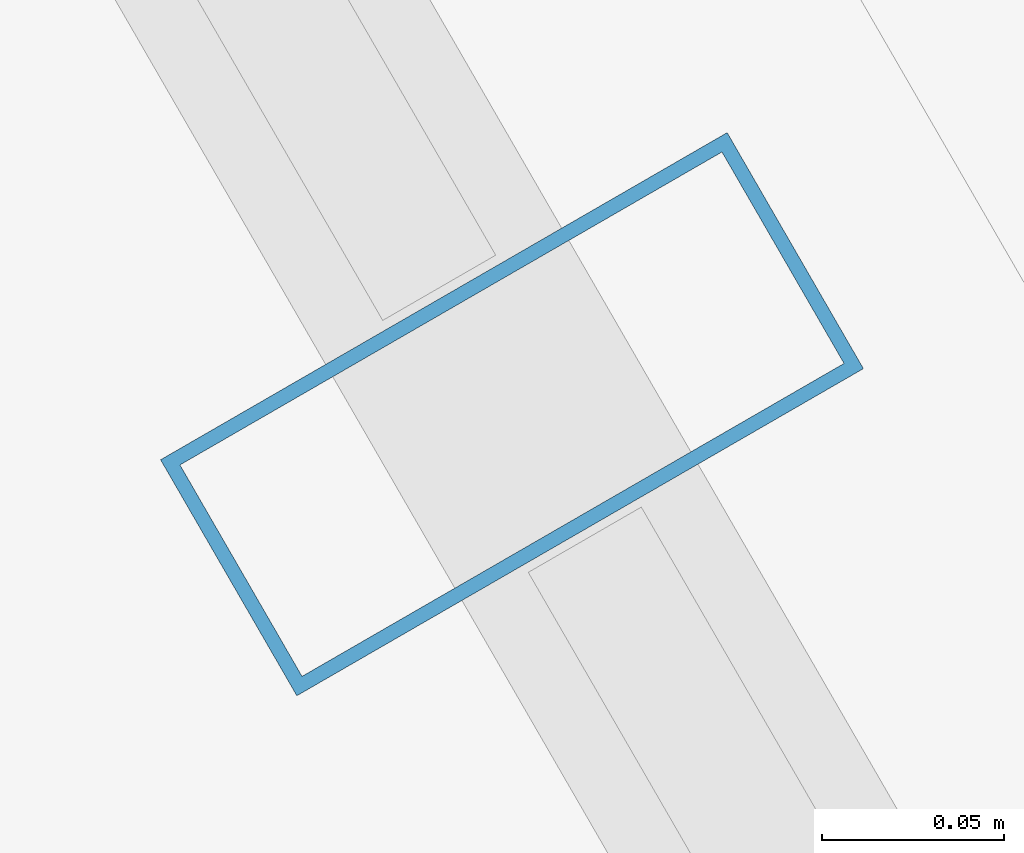
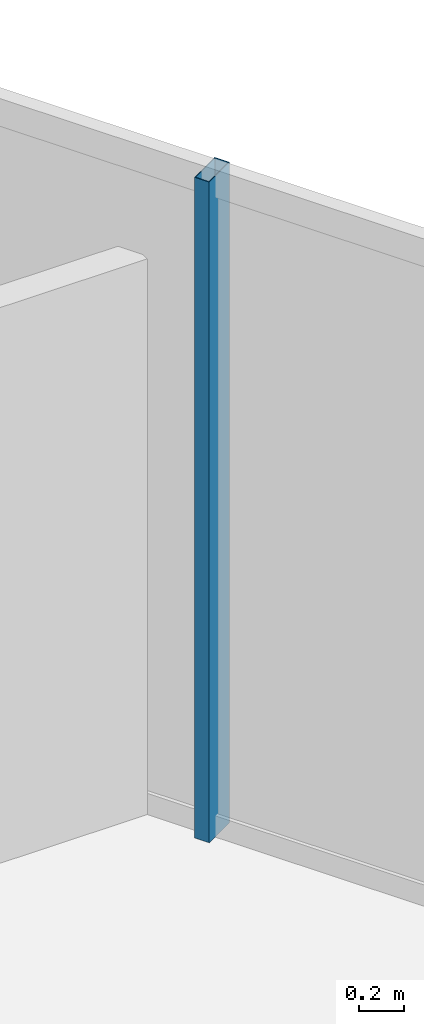
# One storey, part 15 of 34: 1 member, 1 element without a shape of its own.
"""IFC4 building model written with IfcOpenShell, lengths in metres."""

from ifc_helpers import new_model, si_unit, direction, frame, origin, origin_2d, place, context, subcontext, project, spatial, hollow_rectangle, extrude, material, layer, layer_set, material_profile, profile_set, type_object, element, aggregate, save


model = new_model("IFC4")

# Units and contexts
model_context = context("Model", 3, precision=1e-05, world=origin(), true_north=direction((0.0, 1.0)))
body_context = subcontext(model_context, "Body", "Model", "MODEL_VIEW")
ifc_project = project(units=[si_unit("LENGTHUNIT", "METRE"), si_unit("AREAUNIT", "SQUARE_METRE"), si_unit("VOLUMEUNIT", "CUBIC_METRE"), si_unit("PLANEANGLEUNIT", "RADIAN"), si_unit("MASSUNIT", "GRAM", prefix="KILO")], contexts=[model_context])

# Site, building, storey
site_placement = place(None, origin())
site = spatial("IfcSite", under=ifc_project, at=site_placement, CompositionType="ELEMENT")
building_placement = place(site_placement, origin())
building = spatial("IfcBuilding", under=site, at=building_placement, Name="Ndaravel Arena Tower", CompositionType="ELEMENT")
storey_placement = place(building_placement, frame((0.0, 0.0, 191.60009765625)))
storey = spatial("IfcBuildingStorey", under=building, at=storey_placement, Name="L46", CompositionType="ELEMENT", Elevation=191.60009765625)

# Curtain wall, member
ifc_material_1 = material(Name="Aluminium", Category="aluminium")
ifc_layer = layer(ifc_material_1, 0.179931640625)
ifc_layer_set = layer_set([ifc_layer], Name="Aluminium")
curtain_wall_type = type_object("IfcCurtainWallType", Name="CW-SYS-03", PredefinedType="NOTDEFINED", material=ifc_layer_set)
curtain_wall_placement = place(storey_placement, origin())
curtain_wall = element("IfcCurtainWall", 1, at=curtain_wall_placement, inside=storey, type_object=curtain_wall_type, Name="L46 Faceted Crystal Curtain Wall CW-L46-E03", PredefinedType="NOTDEFINED")
ifc_material_2 = material(Name="Aluminium", Category="aluminium")
ifc_material_profile = material_profile(ifc_material_2, hollow_rectangle(XDim=0.074951171875, YDim=0.179931640625, WallThickness=0.00390625, at=origin_2d()), Name="CW MULLION 75x180x4")
ifc_profile_set = profile_set([ifc_material_profile], Name="Aluminium")
member_type = type_object("IfcMemberType", Name="MEM-CW-MUL180", PredefinedType="MULLION", material=ifc_profile_set)
member_placement = place(storey_placement, frame((63.5263671875, 16.67529296875, 0.0), z_axis=(0.0, 0.0, 1.0), x_axis=(-0.5, 0.866025403784, 0.0)))
member = element("IfcMember", 2, at=member_placement, type_object=member_type, Name="CW-L46-E03 Mullion 01", PredefinedType="MULLION", context=body_context, shape_type="SweptSolid", body=[
    extrude(hollow_rectangle(XDim=0.074951171875, YDim=0.179931640625, WallThickness=0.00390625, at=origin_2d()), origin(), (0.0, 0.0, 1.0), 3.579833984375),
])
aggregate(curtain_wall, [member])

save(model, "model.ifc")
